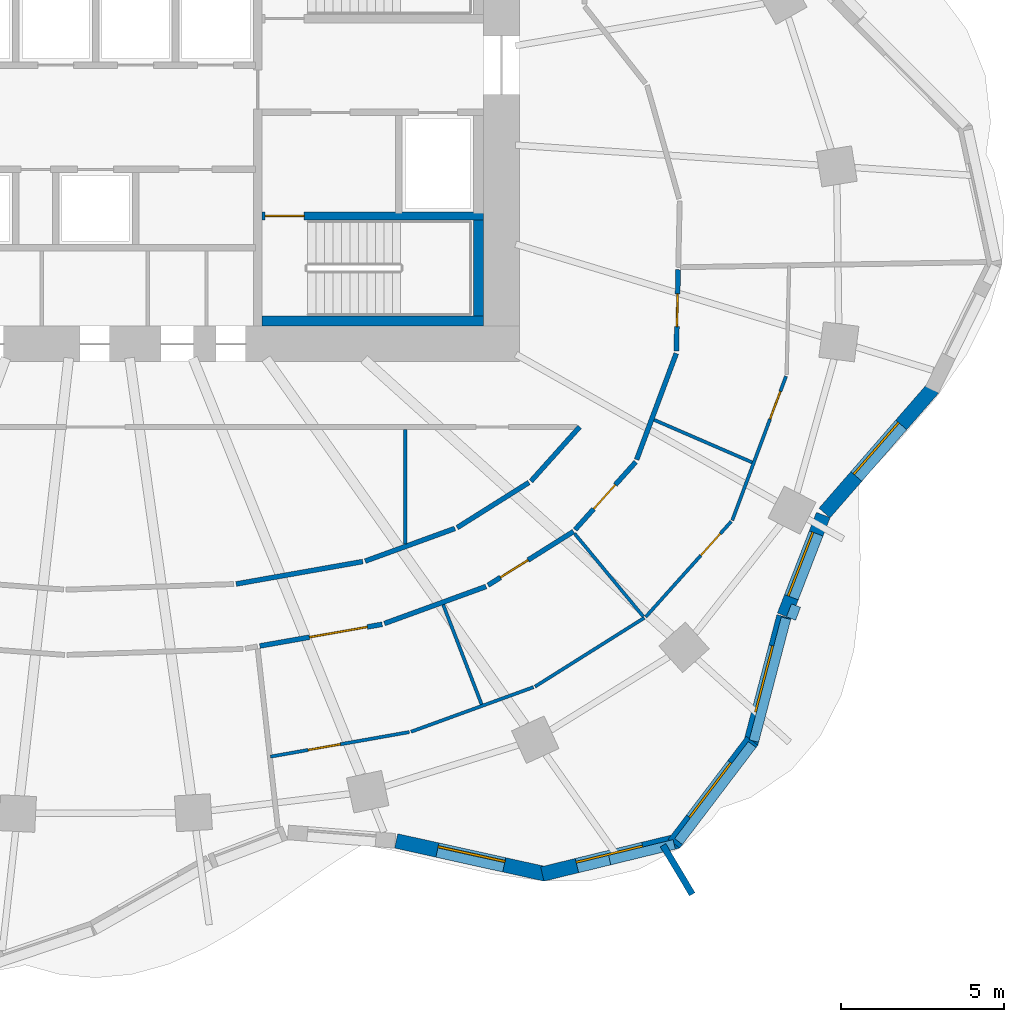
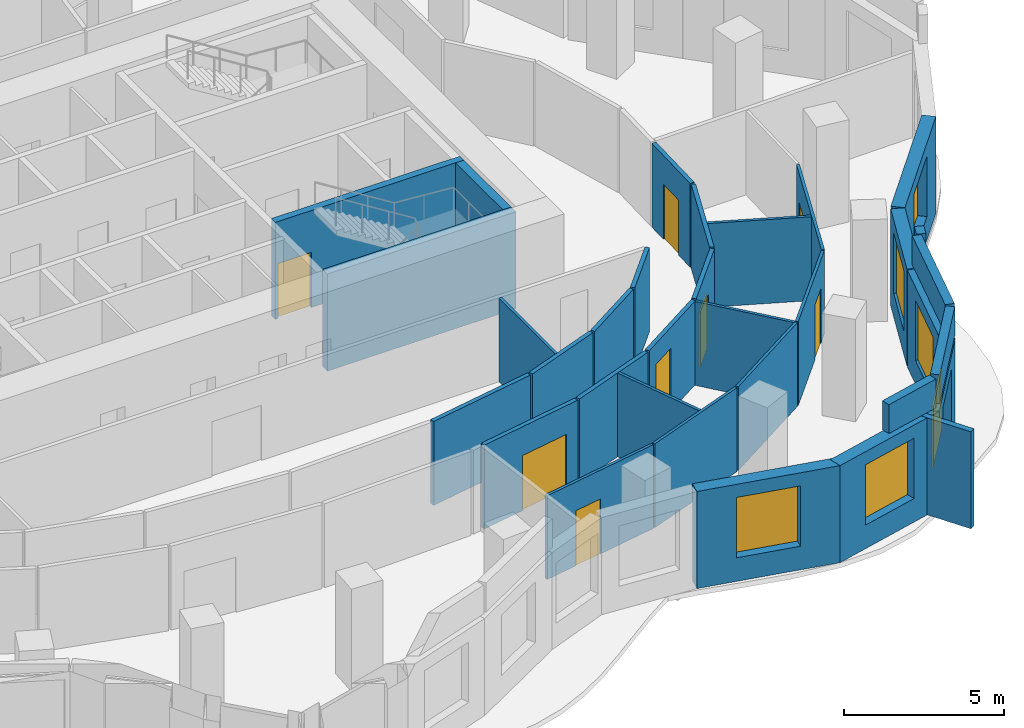
# One storey, part 6 of 10: 33 walls, 8 doors, 6 windows, 14 openings.
"""IFC4 building model written with IfcOpenShell, lengths in metres."""

import ifcopenshell
import ifcopenshell.guid

model = None  # the IFC model being written
_history = None  # IfcOwnerHistory: only IFC2X3 demands one
_inside = {}  # id of a spatial element -> (the spatial element, [elements in it])
_under = {}  # id of a project, library or spatial element -> (it, [spatial elements below it])
_declared = {}  # id of a project -> (the project, [libraries it declares])
_typed = {}  # id of a type object -> (the type object, [elements of that type])
_made_of = {}  # id of a material, layer set ... -> (it, [elements and type objects made of it])


def new_model(schema):
    """Start an empty IFC model of exactly this schema.

    Asked for "IFC4X3", IfcOpenShell would pick the latest addendum, in which some entities
    have other attributes; the version numbers below select the first issue.
    IFC2X3 requires an IfcOwnerHistory on every rooted entity: one is made here for all.
    """
    global model, _history
    if schema == "IFC4X3":
        model = ifcopenshell.file(schema_version=(4, 3, 0, 0))
    else:
        model = ifcopenshell.file(schema=schema)
    _inside.clear()
    _under.clear()
    _declared.clear()
    _typed.clear()
    _made_of.clear()
    _history = None
    if model.schema == "IFC2X3":
        org = make("IfcOrganization", Name="unknown")
        user = make(
            "IfcPersonAndOrganization",
            ThePerson=make("IfcPerson", FamilyName="unknown"),
            TheOrganization=org,
        )
        app = make(
            "IfcApplication",
            ApplicationDeveloper=org,
            Version="unknown",
            ApplicationFullName="unknown",
            ApplicationIdentifier="unknown",
        )
        _history = make(
            "IfcOwnerHistory",
            OwningUser=user,
            OwningApplication=app,
            ChangeAction="ADDED",
            CreationDate=0,
        )
    return model


def make(cls, **values):
    """One entity of the class cls with the attributes given. An attribute that is None is left unset."""
    return model.create_entity(
        cls, **{name: value for name, value in values.items() if value is not None}
    )


def rooted(cls, **values):
    """An entity with a GlobalId (a new one), such as an element, a storey or a relation."""
    return make(cls, GlobalId=ifcopenshell.guid.new(), OwnerHistory=_history, **values)


def si_unit(unit_type, name, prefix=None):
    """IfcSIUnit, for example si_unit("LENGTHUNIT", "METRE", prefix="MILLI")."""
    return make("IfcSIUnit", UnitType=unit_type, Prefix=prefix, Name=name)


def assignment(units):
    """IfcUnitAssignment: the units of a project."""
    return None if units is None else make("IfcUnitAssignment", Units=units)


def point(xyz):
    """IfcCartesianPoint."""
    return None if xyz is None else make("IfcCartesianPoint", Coordinates=xyz)


def direction(xyz):
    """IfcDirection."""
    return None if xyz is None else make("IfcDirection", DirectionRatios=xyz)


def frame(location, z_axis=None, x_axis=None):
    """IfcAxis2Placement3D, a coordinate frame: its origin and axes. An axis left out is left unset."""
    return make(
        "IfcAxis2Placement3D",
        Location=point(location),
        Axis=direction(z_axis),
        RefDirection=direction(x_axis),
    )


def frame_2d(location, x_axis=None):
    """IfcAxis2Placement2D, a coordinate frame in the plane: its origin and x axis."""
    return make(
        "IfcAxis2Placement2D", Location=point(location), RefDirection=direction(x_axis)
    )


def origin():
    """The frame at (0, 0, 0) with its axes left unset."""
    return frame((0.0, 0.0, 0.0))


def place(relative_to, where):
    """IfcLocalPlacement: puts the frame where relative to a parent placement (None: the world)."""
    return make(
        "IfcLocalPlacement", PlacementRelTo=relative_to, RelativePlacement=where
    )


def context(
    kind, dimensions, precision=None, world=None, true_north=None, identifier=None
):
    """IfcGeometricRepresentationContext, for example the 3D "Model" context."""
    return make(
        "IfcGeometricRepresentationContext",
        ContextIdentifier=identifier,
        ContextType=kind,
        CoordinateSpaceDimension=dimensions,
        Precision=precision,
        WorldCoordinateSystem=world,
        TrueNorth=true_north,
    )


def subcontext(parent, identifier, kind, view, scale=None):
    """IfcGeometricRepresentationSubContext, for example "Body" below "Model"."""
    return make(
        "IfcGeometricRepresentationSubContext",
        ContextIdentifier=identifier,
        ContextType=kind,
        ParentContext=parent,
        TargetScale=scale,
        TargetView=view,
    )


def project(units=None, contexts=None):
    """IfcProject with its units and contexts."""
    return rooted(
        "IfcProject",
        Name="project",
        RepresentationContexts=contexts,
        UnitsInContext=assignment(units),
    )


def spatial(cls, under=None, at=None, **own):
    """A site, building, storey or space (cls), placed at a placement, below another one or the project."""
    s = rooted(cls, ObjectPlacement=at, **own)
    if under is not None:
        _under.setdefault(under.id(), (under, []))[1].append(s)
    return s


def profile(cls, at=None, kind="AREA", **sizes):
    """A parametric profile (cls). Its sizes go by their IFC names, for example OverallWidth=200.0."""
    return make(cls, ProfileType=kind, Position=at, **sizes)


def rectangle(**sizes):
    """IfcRectangleProfileDef."""
    return profile("IfcRectangleProfileDef", **sizes)


def extrude(swept, where, along, depth):
    """IfcExtrudedAreaSolid: the profile swept, set in the frame where, extruded along a direction by depth."""
    return make(
        "IfcExtrudedAreaSolid",
        SweptArea=swept,
        Position=where,
        ExtrudedDirection=direction(along),
        Depth=depth,
    )


def shape(context_of_items, identifier, shape_type, items):
    """IfcShapeRepresentation: the items that make up one representation, for example the "Body"."""
    return make(
        "IfcShapeRepresentation",
        ContextOfItems=context_of_items,
        RepresentationIdentifier=identifier,
        RepresentationType=shape_type,
        Items=items,
    )


def material(Name=None, Category=None):
    """IfcMaterial."""
    return make("IfcMaterial", Name=Name, Category=Category)


def layer(
    of_material, thickness, ventilated=None, Name=None, Category=None, Priority=None
):
    """IfcMaterialLayer: one layer of a wall or slab, of a material (None: an air gap)."""
    return make(
        "IfcMaterialLayer",
        Material=of_material,
        LayerThickness=thickness,
        IsVentilated=ventilated,
        Name=Name,
        Category=Category,
        Priority=Priority,
    )


def layer_set(layers, Name=None):
    """IfcMaterialLayerSet."""
    return make("IfcMaterialLayerSet", MaterialLayers=layers, LayerSetName=Name)


def made_of(thing, what):
    """Note that an element or type object is made of a material, layer set ...; save() writes the relation."""
    if what is not None:
        _made_of.setdefault(what.id(), (what, []))[1].append(thing)
    return thing


def type_object(cls, material=None, **own):
    """A type object (cls), such as IfcWallType, which elements share."""
    return made_of(rooted(cls, **own), material)


def element(
    cls,
    number,
    at=None,
    inside=None,
    cuts=None,
    type_object=None,
    material=None,
    context=None,
    identifier="Body",
    shape_type=None,
    held_by="IfcProductDefinitionShape",
    body=None,
    shapes=None,
    **own,
):
    """One element of the class cls, such as IfcWall. Its Tag is "e" and its number.

    at: its placement. inside: the storey or other place that contains it. cuts: it is an
    opening in that element (IfcRelVoidsElement). A single representation is given by context,
    identifier, shape_type and body (its items); several are given by shapes. held_by: the class
    of the entity that holds the representations. save() writes the other relations.
    """
    e = rooted(cls, Tag="e%d" % number, ObjectPlacement=at, **own)
    if body is not None:
        shapes = [shape(context, identifier, shape_type, body)]
    if shapes is not None:
        e.Representation = make(held_by, Representations=shapes)
    if inside is not None:
        _inside.setdefault(inside.id(), (inside, []))[1].append(e)
    if cuts is not None:
        rooted(
            "IfcRelVoidsElement", RelatingBuildingElement=cuts, RelatedOpeningElement=e
        )
    if type_object is not None:
        _typed.setdefault(type_object.id(), (type_object, []))[1].append(e)
    return made_of(e, material)


def fill(opening, filler):
    """IfcRelFillsElement: the door or window that sits in an opening."""
    return rooted(
        "IfcRelFillsElement",
        RelatingOpeningElement=opening,
        RelatedBuildingElement=filler,
    )


def aggregate(whole, parts):
    """IfcRelAggregates: a whole, such as a stair, and the parts it consists of."""
    return rooted("IfcRelAggregates", RelatingObject=whole, RelatedObjects=parts)


def save(model, path):
    """Write the relations noted so far, then the file.

    IfcRelAggregates (storeys below a building ...), IfcRelContainedInSpatialStructure (elements
    in a storey), IfcRelDefinesByType, IfcRelAssociatesMaterial and IfcRelDeclares: one each for
    every whole, place, type object, material and project.
    """
    for whole, parts in _under.values():
        aggregate(whole, parts)
    for where, things in _inside.values():
        rooted(
            "IfcRelContainedInSpatialStructure",
            RelatedElements=things,
            RelatingStructure=where,
        )
    for kind, things in _typed.values():
        rooted("IfcRelDefinesByType", RelatedObjects=things, RelatingType=kind)
    for what, things in _made_of.values():
        rooted("IfcRelAssociatesMaterial", RelatedObjects=things, RelatingMaterial=what)
    for by, libraries in _declared.values():
        rooted("IfcRelDeclares", RelatingContext=by, RelatedDefinitions=libraries)
    model.write(path)


model = new_model("IFC4")

# Units and contexts
model_context = context("Model", 3, precision=1e-05, world=origin(), true_north=direction((0.0, 1.0)))
body_context = subcontext(model_context, "Body", "Model", "MODEL_VIEW")
ifc_project = project(units=[si_unit("LENGTHUNIT", "METRE"), si_unit("AREAUNIT", "SQUARE_METRE"), si_unit("VOLUMEUNIT", "CUBIC_METRE"), si_unit("PLANEANGLEUNIT", "RADIAN"), si_unit("MASSUNIT", "GRAM", prefix="KILO")], contexts=[model_context])

# Site, building, storey
site_placement = place(None, origin())
site = spatial("IfcSite", under=ifc_project, at=site_placement, CompositionType="ELEMENT")
building_placement = place(site_placement, origin())
building = spatial("IfcBuilding", under=site, at=building_placement, Name="Rubra Terraces Tower", CompositionType="ELEMENT")
storey_placement = place(building_placement, frame((0.0, 0.0, 161.699951171875)))
storey = spatial("IfcBuildingStorey", under=building, at=storey_placement, Name="L39", CompositionType="ELEMENT", Elevation=161.699951171875)

# Wall, opening, window
ifc_material_1 = material(Name="Brick masonry red-brown", Category="masonry")
ifc_layer_1 = layer(ifc_material_1, 0.449951171875)
ifc_layer_set_1 = layer_set([ifc_layer_1], Name="Brick masonry red-brown")
wall_type_1 = type_object("IfcWallType", Name="Brick facade wall 450", PredefinedType="SOLIDWALL", material=ifc_layer_set_1)
wall_1_placement = place(storey_placement, frame((9.22119140625, -17.701171875, 0.0), z_axis=(0.0, 0.0, 1.0), x_axis=(0.976391105685, -0.216010205175, 0.0)))
wall_1 = element("IfcWall", 1, at=wall_1_placement, inside=storey, type_object=wall_type_1, Name="Facade wall L39 bay 34", PredefinedType="SOLIDWALL", context=body_context, shape_type="SweptSolid", body=[
    extrude(rectangle(XDim=4.691650390625, YDim=0.449951171875, at=frame_2d((2.345703125, 0.0))), origin(), (0.0, 0.0, 1.0), 3.699951171875),
])
opening_1_placement = place(wall_1_placement, frame((1.295654296875, 0.0, 0.89990234375)))
opening_1 = element("IfcOpeningElement", 2, at=opening_1_placement, cuts=wall_1, Name="Opening W1B", PredefinedType="OPENING", context=body_context, shape_type="SweptSolid", body=[
    extrude(rectangle(XDim=2.10009765625, YDim=2.300048828125, at=frame_2d((1.050048828125, 1.14990234375))), frame((0.0, 0.23486328125, 0.0), z_axis=(0.0, -1.0, 0.0), x_axis=(1.0, 0.0, 0.0)), (0.0, 0.0, 1.0), 0.469970703125),
])
ifc_material_2 = material(Name="Clear glass in aluminium frame", Category="aluminium")
window_type = type_object("IfcWindowType", Name="Fixed deep-set window tall storey 2100 x 2300", PartitioningType="SINGLE_PANEL", PredefinedType="WINDOW", material=ifc_material_2)
window_1_placement = place(opening_1_placement, origin())
window_1 = element("IfcWindow", 3, at=window_1_placement, inside=storey, type_object=window_type, Name="Window L39 bay 34", OverallHeight=2.300048828125, OverallWidth=2.10009765625, PartitioningType="SINGLE_PANEL", PredefinedType="WINDOW", context=body_context, shape_type="SweptSolid", body=[
    extrude(rectangle(XDim=2.10009765625, YDim=2.300048828125, at=frame_2d((1.050048828125, 1.14990234375))), frame((0.0, 0.135009765625, 0.0), z_axis=(0.0, -1.0, 0.0), x_axis=(1.0, 0.0, 0.0)), (0.0, 0.0, 1.0), 0.06005859375),
])
fill(opening_1, window_1)

wall_2_placement = place(storey_placement, frame((13.70361328125, -18.71630859375, 0.0), z_axis=(0.0, 0.0, 1.0), x_axis=(0.971546885012, 0.236847314156, 0.0)))
wall_2 = element("IfcWall", 4, at=wall_2_placement, inside=storey, type_object=wall_type_1, Name="Facade wall L39 bay 35", PredefinedType="SOLIDWALL", context=body_context, shape_type="SweptSolid", body=[
    extrude(rectangle(XDim=4.284912109375, YDim=0.449951171875, at=frame_2d((2.142578125, 0.0))), origin(), (0.0, 0.0, 1.0), 3.699951171875),
])
opening_2_placement = place(wall_2_placement, frame((1.092529296875, 0.0, 0.89990234375)))
opening_2 = element("IfcOpeningElement", 5, at=opening_2_placement, cuts=wall_2, Name="Opening W1B", PredefinedType="OPENING", context=body_context, shape_type="SweptSolid", body=[
    extrude(rectangle(XDim=2.10009765625, YDim=2.300048828125, at=frame_2d((1.050048828125, 1.14990234375))), frame((0.0, 0.23486328125, 0.0), z_axis=(0.0, -1.0, 0.0), x_axis=(1.0, 0.0, 0.0)), (0.0, 0.0, 1.0), 0.469970703125),
])
window_2_placement = place(opening_2_placement, origin())
window_2 = element("IfcWindow", 6, at=window_2_placement, inside=storey, type_object=window_type, Name="Window L39 bay 35", OverallHeight=2.300048828125, OverallWidth=2.10009765625, PartitioningType="SINGLE_PANEL", PredefinedType="WINDOW", context=body_context, shape_type="SweptSolid", body=[
    extrude(rectangle(XDim=2.10009765625, YDim=2.300048828125, at=frame_2d((1.050048828125, 1.14990234375))), frame((0.0, 0.135009765625, 0.0), z_axis=(0.0, -1.0, 0.0), x_axis=(1.0, 0.0, 0.0)), (0.0, 0.0, 1.0), 0.06005859375),
])
fill(opening_2, window_2)

wall_3_placement = place(storey_placement, frame((17.74072265625, -17.783935546875, 0.0), z_axis=(0.0, 0.0, 1.0), x_axis=(0.604591324894, 0.796535830872, 0.0)))
wall_3 = element("IfcWall", 7, at=wall_3_placement, inside=storey, type_object=wall_type_1, Name="Facade wall L39 bay 36", PredefinedType="SOLIDWALL", context=body_context, shape_type="SweptSolid", body=[
    extrude(rectangle(XDim=3.964599609375, YDim=0.449951171875, at=frame_2d((1.982421875, 0.0))), origin(), (0.0, 0.0, 1.0), 3.699951171875),
])
opening_3_placement = place(wall_3_placement, frame((0.932373046875, 0.0, 0.89990234375)))
opening_3 = element("IfcOpeningElement", 8, at=opening_3_placement, cuts=wall_3, Name="Opening W1B", PredefinedType="OPENING", context=body_context, shape_type="SweptSolid", body=[
    extrude(rectangle(XDim=2.10009765625, YDim=2.300048828125, at=frame_2d((1.050048828125, 1.14990234375))), frame((0.0, 0.23486328125, 0.0), z_axis=(0.0, -1.0, 0.0), x_axis=(1.0, 0.0, 0.0)), (0.0, 0.0, 1.0), 0.469970703125),
])
window_3_placement = place(opening_3_placement, origin())
window_3 = element("IfcWindow", 9, at=window_3_placement, inside=storey, type_object=window_type, Name="Window L39 bay 36", OverallHeight=2.300048828125, OverallWidth=2.10009765625, PartitioningType="SINGLE_PANEL", PredefinedType="WINDOW", context=body_context, shape_type="SweptSolid", body=[
    extrude(rectangle(XDim=2.10009765625, YDim=2.300048828125, at=frame_2d((1.050048828125, 1.14990234375))), frame((0.0, 0.135009765625, 0.0), z_axis=(0.0, -1.0, 0.0), x_axis=(1.0, 0.0, 0.0)), (0.0, 0.0, 1.0), 0.06005859375),
])
fill(opening_3, window_3)

wall_4_placement = place(storey_placement, frame((20.1005859375, -14.699951171875, 0.0), z_axis=(0.0, 0.0, 1.0), x_axis=(0.253050507365, 0.967453069003, 0.0)))
wall_4 = element("IfcWall", 10, at=wall_4_placement, inside=storey, type_object=wall_type_1, Name="Facade wall L39 bay 37", PredefinedType="SOLIDWALL", context=body_context, shape_type="SweptSolid", body=[
    extrude(rectangle(XDim=4.015380859375, YDim=0.449951171875, at=frame_2d((2.0078125, 0.0))), origin(), (0.0, 0.0, 1.0), 3.699951171875),
])
opening_4_placement = place(wall_4_placement, frame((0.957763671875, 0.0, 0.89990234375)))
opening_4 = element("IfcOpeningElement", 11, at=opening_4_placement, cuts=wall_4, Name="Opening W1B", PredefinedType="OPENING", context=body_context, shape_type="SweptSolid", body=[
    extrude(rectangle(XDim=2.10009765625, YDim=2.300048828125, at=frame_2d((1.050048828125, 1.14990234375))), frame((0.0, 0.23486328125, 0.0), z_axis=(0.0, -1.0, 0.0), x_axis=(1.0, 0.0, 0.0)), (0.0, 0.0, 1.0), 0.469970703125),
])
window_4_placement = place(opening_4_placement, origin())
window_4 = element("IfcWindow", 12, at=window_4_placement, inside=storey, type_object=window_type, Name="Window L39 bay 37", OverallHeight=2.300048828125, OverallWidth=2.10009765625, PartitioningType="SINGLE_PANEL", PredefinedType="WINDOW", context=body_context, shape_type="SweptSolid", body=[
    extrude(rectangle(XDim=2.10009765625, YDim=2.300048828125, at=frame_2d((1.050048828125, 1.14990234375))), frame((0.0, 0.135009765625, 0.0), z_axis=(0.0, -1.0, 0.0), x_axis=(1.0, 0.0, 0.0)), (0.0, 0.0, 1.0), 0.06005859375),
])
fill(opening_4, window_4)

wall_5_placement = place(storey_placement, frame((21.12548828125, -10.7900390625, 0.0), z_axis=(0.0, 0.0, 1.0), x_axis=(0.361550075906, 0.932352692178, 0.0)))
wall_5 = element("IfcWall", 13, at=wall_5_placement, inside=storey, type_object=wall_type_1, Name="Facade wall L39 bay 38", PredefinedType="SOLIDWALL", context=body_context, shape_type="SweptSolid", body=[
    extrude(rectangle(XDim=3.3134765625, YDim=0.449951171875, at=frame_2d((1.65673828125, 0.0))), origin(), (0.0, 0.0, 1.0), 3.699951171875),
])
opening_5_placement = place(wall_5_placement, frame((0.606689453125, 0.0, 0.89990234375)))
opening_5 = element("IfcOpeningElement", 14, at=opening_5_placement, cuts=wall_5, Name="Opening W1B", PredefinedType="OPENING", context=body_context, shape_type="SweptSolid", body=[
    extrude(rectangle(XDim=2.10009765625, YDim=2.300048828125, at=frame_2d((1.050048828125, 1.14990234375))), frame((0.0, 0.23486328125, 0.0), z_axis=(0.0, -1.0, 0.0), x_axis=(1.0, 0.0, 0.0)), (0.0, 0.0, 1.0), 0.469970703125),
])
window_5_placement = place(opening_5_placement, origin())
window_5 = element("IfcWindow", 15, at=window_5_placement, inside=storey, type_object=window_type, Name="Window L39 bay 38", OverallHeight=2.300048828125, OverallWidth=2.10009765625, PartitioningType="SINGLE_PANEL", PredefinedType="WINDOW", context=body_context, shape_type="SweptSolid", body=[
    extrude(rectangle(XDim=2.10009765625, YDim=2.300048828125, at=frame_2d((1.050048828125, 1.14990234375))), frame((0.0, 0.135009765625, 0.0), z_axis=(0.0, -1.0, 0.0), x_axis=(1.0, 0.0, 0.0)), (0.0, 0.0, 1.0), 0.06005859375),
])
fill(opening_5, window_5)

wall_6_placement = place(storey_placement, frame((22.361083984375, -7.640380859375, 0.0), z_axis=(0.0, 0.0, 1.0), x_axis=(0.656556431783, 0.754276906636, 0.0)))
wall_6 = element("IfcWall", 16, at=wall_6_placement, inside=storey, type_object=wall_type_1, Name="Facade wall L39 bay 39", PredefinedType="SOLIDWALL", context=body_context, shape_type="SweptSolid", body=[
    extrude(rectangle(XDim=5.07177734375, YDim=0.449951171875, at=frame_2d((2.535888671875, 0.0))), origin(), (0.0, 0.0, 1.0), 3.699951171875),
])
opening_6_placement = place(wall_6_placement, frame((1.48583984375, 0.0, 0.89990234375)))
opening_6 = element("IfcOpeningElement", 17, at=opening_6_placement, cuts=wall_6, Name="Opening W1B", PredefinedType="OPENING", context=body_context, shape_type="SweptSolid", body=[
    extrude(rectangle(XDim=2.10009765625, YDim=2.300048828125, at=frame_2d((1.050048828125, 1.14990234375))), frame((0.0, 0.23486328125, 0.0), z_axis=(0.0, -1.0, 0.0), x_axis=(1.0, 0.0, 0.0)), (0.0, 0.0, 1.0), 0.469970703125),
])
window_6_placement = place(opening_6_placement, origin())
window_6 = element("IfcWindow", 18, at=window_6_placement, inside=storey, type_object=window_type, Name="Window L39 bay 39", OverallHeight=2.300048828125, OverallWidth=2.10009765625, PartitioningType="SINGLE_PANEL", PredefinedType="WINDOW", context=body_context, shape_type="SweptSolid", body=[
    extrude(rectangle(XDim=2.10009765625, YDim=2.300048828125, at=frame_2d((1.050048828125, 1.14990234375))), frame((0.0, 0.135009765625, 0.0), z_axis=(0.0, -1.0, 0.0), x_axis=(1.0, 0.0, 0.0)), (0.0, 0.0, 1.0), 0.06005859375),
])
fill(opening_6, window_6)

# Walls
ifc_layer_2 = layer(ifc_material_1, 0.300048828125)
ifc_layer_set_2 = layer_set([ifc_layer_2], Name="Brick masonry red-brown")
wall_type_2 = type_object("IfcWallType", Name="Brick parapet 300", PredefinedType="PARAPET", material=ifc_layer_set_2)
wall_7_placement = place(storey_placement, frame((15.771484375, -18.289306640625, 3.900146484375), z_axis=(0.0, 0.0, 1.0), x_axis=(0.971555973345, 0.236810030736, 0.0)))
element("IfcWall", 19, at=wall_7_placement, inside=storey, type_object=wall_type_2, Name="Parapet L39 bay 35", PredefinedType="PARAPET", context=body_context, shape_type="SweptSolid", body=[
    extrude(rectangle(XDim=2.0380859375, YDim=0.300048828125, at=frame_2d((1.01904296875, 0.0))), origin(), (0.0, 0.0, 1.0), 1.099853515625),
])
wall_8_placement = place(storey_placement, frame((17.883056640625, -17.720703125, 3.900146484375), z_axis=(0.0, 0.0, 1.0), x_axis=(0.60459800049, 0.796530763878, 0.0)))
element("IfcWall", 20, at=wall_8_placement, inside=storey, type_object=wall_type_2, Name="Parapet L39 bay 36", PredefinedType="PARAPET", context=body_context, shape_type="SweptSolid", body=[
    extrude(rectangle(XDim=3.738525390625, YDim=0.300048828125, at=frame_2d((1.869140625, 0.0))), origin(), (0.0, 0.0, 1.0), 1.099853515625),
])
wall_9_placement = place(storey_placement, frame((20.194580078125, -14.63720703125, 3.900146484375), z_axis=(0.0, 0.0, 1.0), x_axis=(0.253006085487, 0.967464687059, 0.0)))
element("IfcWall", 21, at=wall_9_placement, inside=storey, type_object=wall_type_2, Name="Parapet L39 bay 37", PredefinedType="PARAPET", context=body_context, shape_type="SweptSolid", body=[
    extrude(rectangle(XDim=3.8955078125, YDim=0.300048828125, at=frame_2d((1.94775390625, 0.0))), origin(), (0.0, 0.0, 1.0), 1.099853515625),
])
wall_10_placement = place(storey_placement, frame((21.3330078125, -10.877197265625, 3.900146484375), z_axis=(0.0, 0.0, 1.0), x_axis=(0.361395761011, 0.932412518107, 0.0)))
element("IfcWall", 22, at=wall_10_placement, inside=storey, type_object=wall_type_2, Name="Parapet L39 bay 38", PredefinedType="PARAPET", context=body_context, shape_type="SweptSolid", body=[
    extrude(rectangle(XDim=0.42626953125, YDim=0.300048828125, at=frame_2d((0.213134765625, 0.0))), origin(), (0.0, 0.0, 1.0), 1.099853515625),
])
ifc_layer_3 = layer(ifc_material_1, 0.199951171875)
ifc_layer_set_3 = layer_set([ifc_layer_3], Name="Brick masonry red-brown")
wall_type_3 = type_object("IfcWallType", Name="Brick wind fin 200", PredefinedType="SOLIDWALL", material=ifc_layer_set_3)
wall_11_placement = place(storey_placement, frame((17.406005859375, -17.8349609375, 0.0), z_axis=(0.0, 0.0, 1.0), x_axis=(0.512648290506, -0.858598701514, 0.0)))
element("IfcWall", 23, at=wall_11_placement, inside=storey, type_object=wall_type_3, Name="Wind fin L39 18", PredefinedType="SOLIDWALL", context=body_context, shape_type="SweptSolid", body=[
    extrude(rectangle(XDim=1.750244140625, YDim=0.199951171875, at=frame_2d((0.875, 0.0))), origin(), (0.0, 0.0, 1.0), 3.699951171875),
])

# Wall, opening, door
ifc_material_3 = material(Name="Plasterboard on steel stud, mineral wool infill", Category="steel")
ifc_layer_4 = layer(ifc_material_3, 0.14990234375)
ifc_layer_set_4 = layer_set([ifc_layer_4], Name="Plasterboard on steel stud, mineral wool infill")
wall_type_4 = type_object("IfcWallType", Name="CORRIDOR PARTITION 150", PredefinedType="PARTITIONING", material=ifc_layer_set_4)
wall_12_placement = place(storey_placement, frame((5.03662109375, -11.72021484375, 0.0), z_axis=(0.0, 0.0, 1.0), x_axis=(0.984690550414, 0.17431155993, 0.0)))
wall_12 = element("IfcWall", 24, at=wall_12_placement, inside=storey, type_object=wall_type_4, Name="PARTITION", PredefinedType="PARTITIONING", context=body_context, shape_type="SweptSolid", body=[
    extrude(rectangle(XDim=3.81103515625, YDim=0.14990234375, at=frame_2d((1.905517578125, 0.0))), origin(), (0.0, 0.0, 1.0), 3.197998046875),
])
opening_7_placement = place(wall_12_placement, frame((1.550048828125, 0.0, 0.0)))
opening_7 = element("IfcOpeningElement", 25, at=opening_7_placement, cuts=wall_12, Name="Opening 39-114", PredefinedType="OPENING", context=body_context, shape_type="SweptSolid", body=[
    extrude(rectangle(XDim=1.800048828125, YDim=2.10009765625, at=frame_2d((0.89990234375, 1.050048828125))), frame((0.0, 0.0849609375, 0.0), z_axis=(0.0, -1.0, 0.0), x_axis=(1.0, 0.0, 0.0)), (0.0, 0.0, 1.0), 0.169921875),
])
ifc_material_4 = material(Name="Painted timber door leaf, double", Category="wood")
door_type_1 = type_object("IfcDoorType", Name="ROOM DOUBLE DOOR 1800 X 2100", OperationType="DOUBLE_DOOR_SINGLE_SWING", PredefinedType="DOOR", material=ifc_material_4)
door_1_placement = place(opening_7_placement, origin())
door_1 = element("IfcDoor", 26, at=door_1_placement, inside=storey, type_object=door_type_1, Name="DOOR 39-114", OperationType="DOUBLE_DOOR_SINGLE_SWING", OverallHeight=2.10009765625, OverallWidth=1.800048828125, PredefinedType="DOOR", context=body_context, shape_type="SweptSolid", body=[
    extrude(rectangle(XDim=1.800048828125, YDim=2.10009765625, at=frame_2d((0.89990234375, 1.050048828125))), frame((0.0, 0.02490234375, 0.0), z_axis=(0.0, -1.0, 0.0), x_axis=(1.0, 0.0, 0.0)), (0.0, 0.0, 1.0), 0.050048828125),
])
fill(opening_7, door_1)

# Wall
wall_13_placement = place(storey_placement, frame((8.85986328125, -11.030029296875, 0.0), z_axis=(0.0, 0.0, 1.0), x_axis=(0.939685902536, 0.342038601001, 0.0)))
element("IfcWall", 27, at=wall_13_placement, inside=storey, type_object=wall_type_4, Name="PARTITION", PredefinedType="PARTITIONING", context=body_context, shape_type="SweptSolid", body=[
    extrude(rectangle(XDim=3.316162109375, YDim=0.14990234375, at=frame_2d((1.658203125, 0.0))), origin(), (0.0, 0.0, 1.0), 3.197998046875),
])

# Wall, opening, door
wall_14_placement = place(storey_placement, frame((12.03955078125, -9.85595703125, 0.0), z_axis=(0.0, 0.0, 1.0), x_axis=(0.846394809937, 0.532555936697, 0.0)))
wall_14 = element("IfcWall", 28, at=wall_14_placement, inside=storey, type_object=wall_type_4, Name="PARTITION", PredefinedType="PARTITIONING", context=body_context, shape_type="SweptSolid", body=[
    extrude(rectangle(XDim=3.09521484375, YDim=0.14990234375, at=frame_2d((1.547607421875, 0.0))), origin(), (0.0, 0.0, 1.0), 3.197998046875),
])
opening_8_placement = place(wall_14_placement, frame((0.449951171875, 0.0, 0.0)))
opening_8 = element("IfcOpeningElement", 29, at=opening_8_placement, cuts=wall_14, Name="Opening 39-115", PredefinedType="OPENING", context=body_context, shape_type="SweptSolid", body=[
    extrude(rectangle(XDim=1.0, YDim=2.39990234375, at=frame_2d((0.5, 1.199951171875))), frame((0.0, 0.0849609375, 0.0), z_axis=(0.0, -1.0, 0.0), x_axis=(1.0, 0.0, 0.0)), (0.0, 0.0, 1.0), 0.169921875),
])
ifc_material_5 = material(Name="Glazed aluminium meeting door leaf", Category="aluminium")
door_type_2 = type_object("IfcDoorType", Name="MEETING ROOM GLAZED DOOR 1000 X 2400", OperationType="SINGLE_SWING_LEFT", PredefinedType="DOOR", material=ifc_material_5)
door_2_placement = place(opening_8_placement, origin())
door_2 = element("IfcDoor", 30, at=door_2_placement, inside=storey, type_object=door_type_2, Name="DOOR 39-115", OperationType="SINGLE_SWING_RIGHT", OverallHeight=2.39990234375, OverallWidth=1.0, PredefinedType="DOOR", context=body_context, shape_type="SweptSolid", body=[
    extrude(rectangle(XDim=1.0, YDim=2.39990234375, at=frame_2d((0.5, 1.199951171875))), frame((0.0, 0.02490234375, 0.0), z_axis=(0.0, -1.0, 0.0), x_axis=(1.0, 0.0, 0.0)), (0.0, 0.0, 1.0), 0.050048828125),
])
fill(opening_8, door_2)

wall_15_placement = place(storey_placement, frame((14.70947265625, -8.151611328125, 0.0), z_axis=(0.0, 0.0, 1.0), x_axis=(0.667275630306, 0.744810870758, 0.0)))
wall_15 = element("IfcWall", 31, at=wall_15_placement, inside=storey, type_object=wall_type_4, Name="PARTITION", PredefinedType="PARTITIONING", context=body_context, shape_type="SweptSolid", body=[
    extrude(rectangle(XDim=2.789794921875, YDim=0.14990234375, at=frame_2d((1.39501953125, 0.0))), origin(), (0.0, 0.0, 1.0), 3.197998046875),
])
opening_9_placement = place(wall_15_placement, frame((0.85009765625, 0.0, 0.0)))
opening_9 = element("IfcOpeningElement", 32, at=opening_9_placement, cuts=wall_15, Name="Opening 39-123", PredefinedType="OPENING", context=body_context, shape_type="SweptSolid", body=[
    extrude(rectangle(XDim=1.0, YDim=2.10009765625, at=frame_2d((0.5, 1.050048828125))), frame((0.0, 0.0849609375, 0.0), z_axis=(0.0, -1.0, 0.0), x_axis=(1.0, 0.0, 0.0)), (0.0, 0.0, 1.0), 0.169921875),
])
ifc_material_6 = material(Name="Painted timber door leaf", Category="wood")
door_type_3 = type_object("IfcDoorType", Name="ROOM DOOR 1000 X 2100", OperationType="SINGLE_SWING_LEFT", PredefinedType="DOOR", material=ifc_material_6)
door_3_placement = place(opening_9_placement, origin())
door_3 = element("IfcDoor", 33, at=door_3_placement, inside=storey, type_object=door_type_3, Name="DOOR 39-123", OperationType="SINGLE_SWING_RIGHT", OverallHeight=2.10009765625, OverallWidth=1.0, PredefinedType="DOOR", context=body_context, shape_type="SweptSolid", body=[
    extrude(rectangle(XDim=1.0, YDim=2.10009765625, at=frame_2d((0.5, 1.050048828125))), frame((0.0, 0.02490234375, 0.0), z_axis=(0.0, -1.0, 0.0), x_axis=(1.0, 0.0, 0.0)), (0.0, 0.0, 1.0), 0.050048828125),
])
fill(opening_9, door_3)

# Wall
wall_16_placement = place(storey_placement, frame((16.597412109375, -6.00341796875, 0.0), z_axis=(0.0, 0.0, 1.0), x_axis=(0.349499455299, 0.936936567088, 0.0)))
element("IfcWall", 34, at=wall_16_placement, inside=storey, type_object=wall_type_4, Name="PARTITION", PredefinedType="PARTITIONING", context=body_context, shape_type="SweptSolid", body=[
    extrude(rectangle(XDim=3.477294921875, YDim=0.14990234375, at=frame_2d((1.73876953125, 0.0))), origin(), (0.0, 0.0, 1.0), 3.197998046875),
])

# Wall, opening, door
wall_17_placement = place(storey_placement, frame((17.814453125, -2.67041015625, 0.0), z_axis=(0.0, 0.0, 1.0), x_axis=(0.023001549432, 0.999735429363, 0.0)))
wall_17 = element("IfcWall", 35, at=wall_17_placement, inside=storey, type_object=wall_type_4, Name="PARTITION", PredefinedType="PARTITIONING", context=body_context, shape_type="SweptSolid", body=[
    extrude(rectangle(XDim=2.494384765625, YDim=0.14990234375, at=frame_2d((1.2470703125, 0.0))), origin(), (0.0, 0.0, 1.0), 3.197998046875),
])
opening_10_placement = place(wall_17_placement, frame((0.75, 0.0, 0.0)))
opening_10 = element("IfcOpeningElement", 36, at=opening_10_placement, cuts=wall_17, Name="Opening 39-124", PredefinedType="OPENING", context=body_context, shape_type="SweptSolid", body=[
    extrude(rectangle(XDim=1.0, YDim=2.10009765625, at=frame_2d((0.5, 1.050048828125))), frame((0.0, 0.0849609375, 0.0), z_axis=(0.0, -1.0, 0.0), x_axis=(1.0, 0.0, 0.0)), (0.0, 0.0, 1.0), 0.169921875),
])
door_4_placement = place(opening_10_placement, origin())
door_4 = element("IfcDoor", 37, at=door_4_placement, inside=storey, type_object=door_type_3, Name="DOOR 39-124", OperationType="SINGLE_SWING_RIGHT", OverallHeight=2.10009765625, OverallWidth=1.0, PredefinedType="DOOR", context=body_context, shape_type="SweptSolid", body=[
    extrude(rectangle(XDim=1.0, YDim=2.10009765625, at=frame_2d((0.5, 1.050048828125))), frame((0.0, 0.02490234375, 0.0), z_axis=(0.0, -1.0, 0.0), x_axis=(1.0, 0.0, 0.0)), (0.0, 0.0, 1.0), 0.050048828125),
])
fill(opening_10, door_4)

# Walls
wall_18_placement = place(storey_placement, frame((14.847900390625, -5.0, 0.0), z_axis=(0.0, 0.0, 1.0), x_axis=(-0.667363249373, -0.744732363595, 0.0)))
element("IfcWall", 38, at=wall_18_placement, inside=storey, type_object=wall_type_4, Name="PARTITION", PredefinedType="PARTITIONING", context=body_context, shape_type="SweptSolid", body=[
    extrude(rectangle(XDim=2.234130859375, YDim=0.14990234375, at=frame_2d((1.1171875, 0.0))), origin(), (0.0, 0.0, 1.0), 3.197998046875),
])
wall_19_placement = place(storey_placement, frame((13.29345703125, -6.703857421875, 0.0), z_axis=(0.0, 0.0, 1.0), x_axis=(-0.84641299998, -0.532527026041, 0.0)))
element("IfcWall", 39, at=wall_19_placement, inside=storey, type_object=wall_type_4, Name="PARTITION", PredefinedType="PARTITIONING", context=body_context, shape_type="SweptSolid", body=[
    extrude(rectangle(XDim=2.601806640625, YDim=0.14990234375, at=frame_2d((1.30078125, 0.0))), origin(), (0.0, 0.0, 1.0), 3.197998046875),
])
wall_20_placement = place(storey_placement, frame((11.02099609375, -8.114990234375, 0.0), z_axis=(0.0, 0.0, 1.0), x_axis=(-0.939683845313, -0.342044252778, 0.0)))
element("IfcWall", 40, at=wall_20_placement, inside=storey, type_object=wall_type_4, Name="PARTITION", PredefinedType="PARTITIONING", context=body_context, shape_type="SweptSolid", body=[
    extrude(rectangle(XDim=2.9287109375, YDim=0.14990234375, at=frame_2d((1.46435546875, 0.0))), origin(), (0.0, 0.0, 1.0), 3.197998046875),
])
wall_21_placement = place(storey_placement, frame((8.1953125, -9.1298828125, 0.0), z_axis=(0.0, 0.0, 1.0), x_axis=(-0.9846880937, -0.174325437403, 0.0)))
element("IfcWall", 41, at=wall_21_placement, inside=storey, type_object=wall_type_4, Name="PARTITION", PredefinedType="PARTITIONING", context=body_context, shape_type="SweptSolid", body=[
    extrude(rectangle(XDim=3.945068359375, YDim=0.14990234375, at=frame_2d((1.97265625, 0.0))), origin(), (0.0, 0.0, 1.0), 3.197998046875),
])
ifc_material_7 = material(Name="Concrete C40", Category="concrete")
ifc_layer_5 = layer(ifc_material_7, 0.300048828125)
ifc_layer_set_5 = layer_set([ifc_layer_5], Name="Concrete C40")
wall_type_5 = type_object("IfcWallType", Name="Core lining wall 300 concrete", PredefinedType="SOLIDWALL", material=ifc_layer_set_5)
wall_22_placement = place(storey_placement, frame((11.75, 1.35009765625, 0.0), z_axis=(0.0, 0.0, 1.0), x_axis=(0.0, -1.0, 0.0)))
element("IfcWall", 42, at=wall_22_placement, inside=storey, type_object=wall_type_5, Name="CORE LINING WALL L39", PredefinedType="SOLIDWALL", context=body_context, shape_type="SweptSolid", body=[
    extrude(rectangle(XDim=2.9501953125, YDim=0.300048828125, at=frame_2d((1.47509765625, 0.0))), origin(), (0.0, 0.0, 1.0), 3.699951171875),
])
wall_23_placement = place(storey_placement, frame((11.89990234375, -1.75, 0.0), z_axis=(0.0, 0.0, 1.0), x_axis=(-1.0, 0.0, 0.0)))
element("IfcWall", 43, at=wall_23_placement, inside=storey, type_object=wall_type_5, Name="CORE LINING WALL L39", PredefinedType="SOLIDWALL", context=body_context, shape_type="SweptSolid", body=[
    extrude(rectangle(XDim=6.7998046875, YDim=0.300048828125, at=frame_2d((3.39990234375, 0.0))), origin(), (0.0, 0.0, 1.0), 3.699951171875),
])

# Wall, opening, door
ifc_material_8 = material(Name="Plasterboard on steel stud", Category="steel")
ifc_layer_6 = layer(ifc_material_8, 0.10009765625)
ifc_layer_set_6 = layer_set([ifc_layer_6], Name="Plasterboard on steel stud")
wall_type_6 = type_object("IfcWallType", Name="ROOM PARTITION 100", PredefinedType="PARTITIONING", material=ifc_layer_set_6)
wall_24_placement = place(storey_placement, frame((21.180908203125, -3.443359375, 0.0), z_axis=(0.0, 0.0, 1.0), x_axis=(-0.349438657616, -0.936959243811, 0.0)))
wall_24 = element("IfcWall", 44, at=wall_24_placement, inside=storey, type_object=wall_type_6, Name="PARTITION", PredefinedType="PARTITIONING", context=body_context, shape_type="SweptSolid", body=[
    extrude(rectangle(XDim=4.718017578125, YDim=0.10009765625, at=frame_2d((2.35888671875, 0.0))), origin(), (0.0, 0.0, 1.0), 3.197998046875),
])
opening_11_placement = place(wall_24_placement, frame((0.5, 0.0, 0.0)))
opening_11 = element("IfcOpeningElement", 45, at=opening_11_placement, cuts=wall_24, Name="Opening 39-117", PredefinedType="OPENING", context=body_context, shape_type="SweptSolid", body=[
    extrude(rectangle(XDim=0.89990234375, YDim=2.10009765625, at=frame_2d((0.449951171875, 1.050048828125))), frame((0.0, 0.06005859375, 0.0), z_axis=(0.0, -1.0, 0.0), x_axis=(1.0, 0.0, 0.0)), (0.0, 0.0, 1.0), 0.1201171875),
])
door_type_4 = type_object("IfcDoorType", Name="ROOM DOOR 900 X 2100", OperationType="SINGLE_SWING_LEFT", PredefinedType="DOOR", material=ifc_material_6)
door_5_placement = place(opening_11_placement, origin())
door_5 = element("IfcDoor", 46, at=door_5_placement, inside=storey, type_object=door_type_4, Name="DOOR 39-117", OperationType="SINGLE_SWING_LEFT", OverallHeight=2.10009765625, OverallWidth=0.89990234375, PredefinedType="DOOR", context=body_context, shape_type="SweptSolid", body=[
    extrude(rectangle(XDim=0.89990234375, YDim=2.10009765625, at=frame_2d((0.449951171875, 1.050048828125))), frame((0.0, 0.02490234375, 0.0), z_axis=(0.0, -1.0, 0.0), x_axis=(1.0, 0.0, 0.0)), (0.0, 0.0, 1.0), 0.050048828125),
])
fill(opening_11, door_5)

wall_25_placement = place(storey_placement, frame((19.498779296875, -7.9013671875, 0.0), z_axis=(0.0, 0.0, 1.0), x_axis=(-0.667320762971, -0.744770433964, 0.0)))
wall_25 = element("IfcWall", 47, at=wall_25_placement, inside=storey, type_object=wall_type_6, Name="PARTITION", PredefinedType="PARTITIONING", context=body_context, shape_type="SweptSolid", body=[
    extrude(rectangle(XDim=3.93408203125, YDim=0.10009765625, at=frame_2d((1.967041015625, 0.0))), origin(), (0.0, 0.0, 1.0), 3.197998046875),
])
opening_12_placement = place(wall_25_placement, frame((0.5, 0.0, 0.0)))
opening_12 = element("IfcOpeningElement", 48, at=opening_12_placement, cuts=wall_25, Name="Opening 39-116", PredefinedType="OPENING", context=body_context, shape_type="SweptSolid", body=[
    extrude(rectangle(XDim=0.89990234375, YDim=2.10009765625, at=frame_2d((0.449951171875, 1.050048828125))), frame((0.0, 0.06005859375, 0.0), z_axis=(0.0, -1.0, 0.0), x_axis=(1.0, 0.0, 0.0)), (0.0, 0.0, 1.0), 0.1201171875),
])
door_6_placement = place(opening_12_placement, origin())
door_6 = element("IfcDoor", 49, at=door_6_placement, inside=storey, type_object=door_type_4, Name="DOOR 39-116", OperationType="SINGLE_SWING_LEFT", OverallHeight=2.10009765625, OverallWidth=0.89990234375, PredefinedType="DOOR", context=body_context, shape_type="SweptSolid", body=[
    extrude(rectangle(XDim=0.89990234375, YDim=2.10009765625, at=frame_2d((0.449951171875, 1.050048828125))), frame((0.0, 0.02490234375, 0.0), z_axis=(0.0, -1.0, 0.0), x_axis=(1.0, 0.0, 0.0)), (0.0, 0.0, 1.0), 0.050048828125),
])
fill(opening_12, door_6)

# Walls
wall_26_placement = place(storey_placement, frame((16.831298828125, -10.85791015625, 0.0), z_axis=(0.0, 0.0, 1.0), x_axis=(-0.846415033443, -0.532523793987, 0.0)))
element("IfcWall", 50, at=wall_26_placement, inside=storey, type_object=wall_type_6, Name="PARTITION", PredefinedType="PARTITIONING", context=body_context, shape_type="SweptSolid", body=[
    extrude(rectangle(XDim=3.959716796875, YDim=0.10009765625, at=frame_2d((1.97998046875, 0.0))), origin(), (0.0, 0.0, 1.0), 3.197998046875),
])
wall_27_placement = place(storey_placement, frame((13.432861328125, -12.983642578125, 0.0), z_axis=(0.0, 0.0, 1.0), x_axis=(-0.939673979614, -0.342071355182, 0.0)))
element("IfcWall", 51, at=wall_27_placement, inside=storey, type_object=wall_type_6, Name="PARTITION", PredefinedType="PARTITIONING", context=body_context, shape_type="SweptSolid", body=[
    extrude(rectangle(XDim=4.000244140625, YDim=0.10009765625, at=frame_2d((2.0, 0.0))), origin(), (0.0, 0.0, 1.0), 3.197998046875),
])

# Wall, opening, door
wall_28_placement = place(storey_placement, frame((9.624755859375, -14.36083984375, 0.0), z_axis=(0.0, 0.0, 1.0), x_axis=(-0.984692536401, -0.174300340665, 0.0)))
wall_28 = element("IfcWall", 52, at=wall_28_placement, inside=storey, type_object=wall_type_6, Name="PARTITION", PredefinedType="PARTITIONING", context=body_context, shape_type="SweptSolid", body=[
    extrude(rectangle(XDim=4.32666015625, YDim=0.10009765625, at=frame_2d((2.163330078125, 0.0))), origin(), (0.0, 0.0, 1.0), 3.197998046875),
])
opening_13_placement = place(wall_28_placement, frame((2.14990234375, 0.0, 0.0)))
opening_13 = element("IfcOpeningElement", 53, at=opening_13_placement, cuts=wall_28, Name="Opening 39-122", PredefinedType="OPENING", context=body_context, shape_type="SweptSolid", body=[
    extrude(rectangle(XDim=1.0, YDim=2.10009765625, at=frame_2d((0.5, 1.050048828125))), frame((0.0, 0.06005859375, 0.0), z_axis=(0.0, -1.0, 0.0), x_axis=(1.0, 0.0, 0.0)), (0.0, 0.0, 1.0), 0.1201171875),
])
door_7_placement = place(opening_13_placement, origin())
door_7 = element("IfcDoor", 54, at=door_7_placement, inside=storey, type_object=door_type_3, Name="DOOR 39-122", OperationType="SINGLE_SWING_RIGHT", OverallHeight=2.10009765625, OverallWidth=1.0, PredefinedType="DOOR", context=body_context, shape_type="SweptSolid", body=[
    extrude(rectangle(XDim=1.0, YDim=2.10009765625, at=frame_2d((0.5, 1.050048828125))), frame((0.0, 0.02490234375, 0.0), z_axis=(0.0, -1.0, 0.0), x_axis=(1.0, 0.0, 0.0)), (0.0, 0.0, 1.0), 0.050048828125),
])
fill(opening_13, door_7)

# Walls
wall_29_placement = place(storey_placement, frame((10.6630859375, -10.45361328125, 0.0), z_axis=(0.0, 0.0, 1.0), x_axis=(0.359408579013, -0.933180300548, 0.0)))
element("IfcWall", 55, at=wall_29_placement, inside=storey, type_object=wall_type_6, Name="PARTITION", PredefinedType="PARTITIONING", context=body_context, shape_type="SweptSolid", body=[
    extrude(rectangle(XDim=3.275390625, YDim=0.10009765625, at=frame_2d((1.6376953125, 0.0))), origin(), (0.0, 0.0, 1.0), 3.197998046875),
])
wall_30_placement = place(storey_placement, frame((14.694580078125, -8.273193359375, 0.0), z_axis=(0.0, 0.0, 1.0), x_axis=(0.638037892731, -0.770004965854, 0.0)))
element("IfcWall", 56, at=wall_30_placement, inside=storey, type_object=wall_type_6, Name="PARTITION", PredefinedType="PARTITIONING", context=body_context, shape_type="SweptSolid", body=[
    extrude(rectangle(XDim=3.30419921875, YDim=0.10009765625, at=frame_2d((1.652099609375, 0.0))), origin(), (0.0, 0.0, 1.0), 3.197998046875),
])
wall_31_placement = place(storey_placement, frame((17.1328125, -4.7822265625, 0.0), z_axis=(0.0, 0.0, 1.0), x_axis=(0.917457823469, -0.397833058148, 0.0)))
element("IfcWall", 57, at=wall_31_placement, inside=storey, type_object=wall_type_6, Name="PARTITION", PredefinedType="PARTITIONING", context=body_context, shape_type="SweptSolid", body=[
    extrude(rectangle(XDim=3.279541015625, YDim=0.10009765625, at=frame_2d((1.6396484375, 0.0))), origin(), (0.0, 0.0, 1.0), 3.197998046875),
])
wall_32_placement = place(storey_placement, frame((9.5, -8.59375, 0.0), z_axis=(0.0, 0.0, 1.0), x_axis=(0.0, 1.0, 0.0)))
element("IfcWall", 58, at=wall_32_placement, inside=storey, type_object=wall_type_6, Name="PARTITION", PredefinedType="PARTITIONING", context=body_context, shape_type="SweptSolid", body=[
    extrude(rectangle(XDim=3.518798828125, YDim=0.10009765625, at=frame_2d((1.75927734375, 0.0))), origin(), (0.0, 0.0, 1.0), 3.197998046875),
])

# Wall, opening, door
ifc_layer_7 = layer(ifc_material_7, 0.25)
ifc_layer_set_7 = layer_set([ifc_layer_7], Name="Concrete C40")
wall_type_7 = type_object("IfcWallType", Name="Stair enclosure wall 250 concrete", PredefinedType="SOLIDWALL", material=ifc_layer_set_7)
wall_33_placement = place(storey_placement, frame((11.89990234375, 1.47509765625, 0.0), z_axis=(0.0, 0.0, 1.0), x_axis=(-1.0, 0.0, 0.0)))
wall_33 = element("IfcWall", 59, at=wall_33_placement, inside=storey, type_object=wall_type_7, Name="STAIR WALL L39", PredefinedType="SOLIDWALL", context=body_context, shape_type="SweptSolid", body=[
    extrude(rectangle(XDim=6.7998046875, YDim=0.25, at=frame_2d((3.39990234375, 0.0))), origin(), (0.0, 0.0, 1.0), 3.699951171875),
])
opening_14_placement = place(wall_33_placement, frame((5.5, 0.0, 0.0)))
opening_14 = element("IfcOpeningElement", 60, at=opening_14_placement, cuts=wall_33, Name="Opening L39.C10", PredefinedType="OPENING", context=body_context, shape_type="SweptSolid", body=[
    extrude(rectangle(XDim=1.199951171875, YDim=2.10009765625, at=frame_2d((0.60009765625, 1.050048828125))), frame((0.0, 0.135009765625, 0.0), z_axis=(0.0, -1.0, 0.0), x_axis=(1.0, 0.0, 0.0)), (0.0, 0.0, 1.0), 0.27001953125),
])
ifc_material_9 = material(Name="Painted steel", Category="steel")
door_type_5 = type_object("IfcDoorType", Name="Fire door 1200x2100 single", OperationType="NOTDEFINED", PredefinedType="DOOR", material=ifc_material_9)
door_8_placement = place(opening_14_placement, origin())
door_8 = element("IfcDoor", 61, at=door_8_placement, inside=storey, type_object=door_type_5, Name="Stair door S4", OperationType="SINGLE_SWING_RIGHT", OverallHeight=2.10009765625, OverallWidth=1.199951171875, PredefinedType="DOOR", context=body_context, shape_type="SweptSolid", body=[
    extrude(rectangle(XDim=1.199951171875, YDim=2.10009765625, at=frame_2d((0.60009765625, 1.050048828125))), frame((0.0, 0.02490234375, 0.0), z_axis=(0.0, -1.0, 0.0), x_axis=(1.0, 0.0, 0.0)), (0.0, 0.0, 1.0), 0.050048828125),
])
fill(opening_14, door_8)

save(model, "model.ifc")
